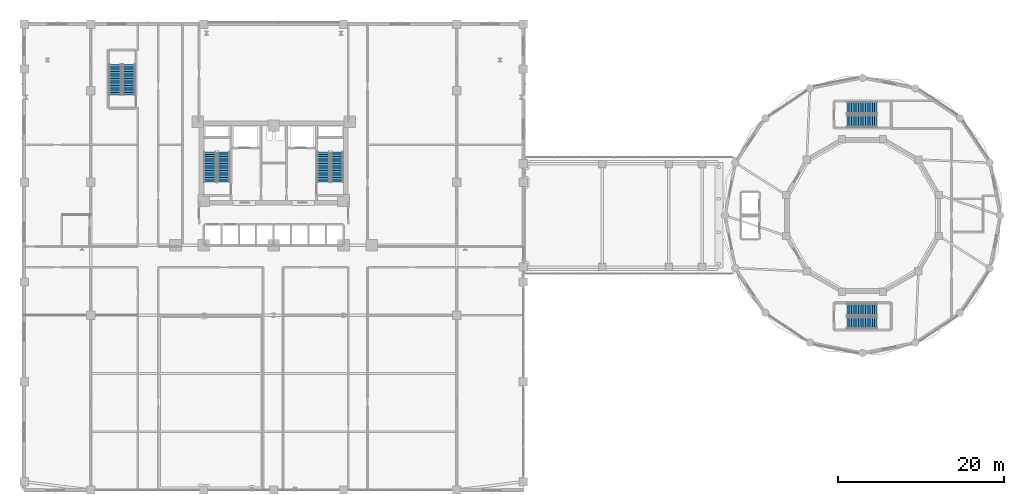
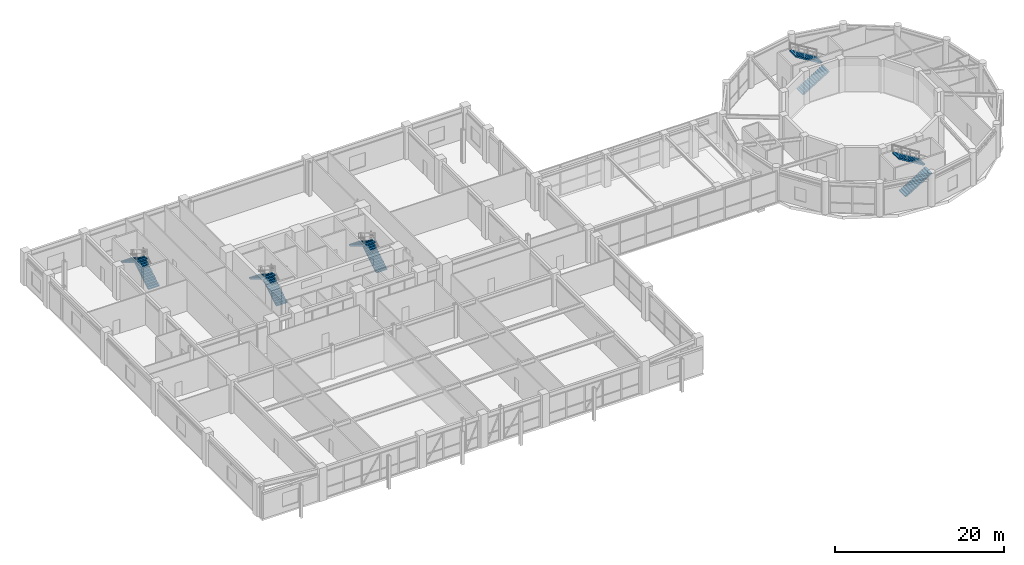
# One storey, part 37 of 48: 10 stair flights, 5 elements without a shape of their own.
"""IFC4 building model written with IfcOpenShell, lengths in metres."""

from ifc_helpers import new_model, si_unit, derived_unit, direction, frame, origin, place, context, subcontext, project, spatial, polyline, outline, extrude, material, type_object, element, aggregate, save


model = new_model("IFC4")

# Units and contexts
model_context = context("Model", 3, precision=1e-05, world=origin(), true_north=direction((0.0, 1.0)))
body_context = subcontext(model_context, "Body", "Model", "MODEL_VIEW")
ifc_project = project(units=[si_unit("LENGTHUNIT", "METRE"), si_unit("AREAUNIT", "SQUARE_METRE"), si_unit("VOLUMEUNIT", "CUBIC_METRE"), si_unit("PLANEANGLEUNIT", "RADIAN"), si_unit("MASSUNIT", "GRAM", prefix="KILO"), derived_unit("THERMALTRANSMITTANCEUNIT", [(si_unit("POWERUNIT", "WATT"), 1), (si_unit("LENGTHUNIT", "METRE"), -2), (si_unit("THERMODYNAMICTEMPERATUREUNIT", "KELVIN"), -1)])], contexts=[model_context])

# Site, building, storey
site_placement = place(None, origin())
site = spatial("IfcSite", under=ifc_project, at=site_placement, CompositionType="ELEMENT")
building_placement = place(site_placement, origin())
building = spatial("IfcBuilding", under=site, at=building_placement, Name="Korsvarv Bourse and Concert Hall", CompositionType="ELEMENT")
storey_placement = place(building_placement, frame((0.0, 0.0, 4.800048828125)))
storey = spatial("IfcBuildingStorey", under=building, at=storey_placement, Name="L01", CompositionType="ELEMENT", Elevation=4.800048828125)

# Stair, stair flights
ifc_material = material(Name="Precast concrete C45/55", Category="concrete")
stair_type_1 = type_object("IfcStairType", Name="STR-TYPE-02", PredefinedType="HALF_TURN_STAIR", material=ifc_material)
stair_1_placement = place(storey_placement, origin())
stair_1 = element("IfcStair", 1, at=stair_1_placement, inside=storey, type_object=stair_type_1, Name="L01 Tower West Exit Stair ST-T1", PredefinedType="HALF_TURN_STAIR")
stair_flight_type_1 = type_object("IfcStairFlightType", Name="FLT-TYPE-02", PredefinedType="STRAIGHT", material=ifc_material)
stair_flight_1_placement = place(storey_placement, frame((30.010009765625, 40.0, 0.0), z_axis=(0.0, 0.0, 1.0), x_axis=(0.0, 1.0, 0.0)))
stair_flight_1 = element("IfcStairFlight", 2, at=stair_flight_1_placement, type_object=stair_flight_type_1, Name="ST-T1 flight 1", NumberOfRisers=14, NumberOfTreads=13, PredefinedType="STRAIGHT", RiserHeight=0.171428571, TreadLength=0.28, context=body_context, shape_type="SweptSolid", body=[
    extrude(outline(polyline([(0.0, 0.0), (0.0, 0.17138671875), (0.280029296875, 0.17138671875), (0.280029296875, 0.3427734375), (0.56005859375, 0.3427734375), (0.56005859375, 0.514404296875), (0.840087890625, 0.514404296875), (0.840087890625, 0.685791015625), (1.1201171875, 0.685791015625), (1.1201171875, 0.857177734375), (1.39990234375, 0.857177734375), (1.39990234375, 1.028564453125), (1.679931640625, 1.028564453125), (1.679931640625, 1.199951171875), (1.9599609375, 1.199951171875), (1.9599609375, 1.371337890625), (2.239990234375, 1.371337890625), (2.239990234375, 1.54296875), (2.52001953125, 1.54296875), (2.52001953125, 1.71435546875), (2.800048828125, 1.71435546875), (2.800048828125, 1.8857421875), (3.080078125, 1.8857421875), (3.080078125, 2.05712890625), (3.360107421875, 2.05712890625), (3.360107421875, 2.228515625), (3.639892578125, 2.228515625), (3.639892578125, 2.39990234375), (3.639892578125, 2.052734375), (0.287109375, 0.0), (0.0, 0.0)])), frame((0.0, 0.75, 0.0), z_axis=(0.0, -1.0, 0.0), x_axis=(1.0, 0.0, 0.0)), (0.0, 0.0, 1.0), 1.5),
])
stair_flight_2_placement = place(storey_placement, frame((28.35009765625, 43.639892578125, 2.39990234375), z_axis=(0.0, 0.0, 1.0), x_axis=(0.0, -1.0, 0.0)))
stair_flight_2 = element("IfcStairFlight", 3, at=stair_flight_2_placement, type_object=stair_flight_type_1, Name="ST-T1 flight 2", NumberOfRisers=14, NumberOfTreads=13, PredefinedType="STRAIGHT", RiserHeight=0.171428571, TreadLength=0.28, context=body_context, shape_type="SweptSolid", body=[
    extrude(outline(polyline([(0.0, 0.0), (0.0, 0.17138671875), (0.280029296875, 0.17138671875), (0.280029296875, 0.3427734375), (0.56005859375, 0.3427734375), (0.56005859375, 0.514404296875), (0.840087890625, 0.514404296875), (0.840087890625, 0.685791015625), (1.1201171875, 0.685791015625), (1.1201171875, 0.857177734375), (1.39990234375, 0.857177734375), (1.39990234375, 1.028564453125), (1.679931640625, 1.028564453125), (1.679931640625, 1.199951171875), (1.9599609375, 1.199951171875), (1.9599609375, 1.371337890625), (2.239990234375, 1.371337890625), (2.239990234375, 1.54296875), (2.52001953125, 1.54296875), (2.52001953125, 1.71435546875), (2.800048828125, 1.71435546875), (2.800048828125, 1.8857421875), (3.080078125, 1.8857421875), (3.080078125, 2.05712890625), (3.360107421875, 2.05712890625), (3.360107421875, 2.228515625), (3.639892578125, 2.228515625), (3.639892578125, 2.39990234375), (3.639892578125, 2.052734375), (0.287109375, 0.0), (0.0, 0.0)])), frame((0.0, 0.75, 0.0), z_axis=(0.0, -1.0, 0.0), x_axis=(1.0, 0.0, 0.0)), (0.0, 0.0, 1.0), 1.5),
])
aggregate(stair_1, [stair_flight_1, stair_flight_2])

stair_2_placement = place(storey_placement, origin())
stair_2 = element("IfcStair", 4, at=stair_2_placement, inside=storey, type_object=stair_type_1, Name="L01 Tower East Exit Stair ST-T2", PredefinedType="HALF_TURN_STAIR")
stair_flight_3_placement = place(storey_placement, frame((43.64990234375, 40.0, 0.0), z_axis=(0.0, 0.0, 1.0), x_axis=(0.0, 1.0, 0.0)))
stair_flight_3 = element("IfcStairFlight", 5, at=stair_flight_3_placement, type_object=stair_flight_type_1, Name="ST-T2 flight 1", NumberOfRisers=14, NumberOfTreads=13, PredefinedType="STRAIGHT", RiserHeight=0.171428571, TreadLength=0.28, context=body_context, shape_type="SweptSolid", body=[
    extrude(outline(polyline([(0.0, 0.0), (0.0, 0.17138671875), (0.280029296875, 0.17138671875), (0.280029296875, 0.3427734375), (0.56005859375, 0.3427734375), (0.56005859375, 0.514404296875), (0.840087890625, 0.514404296875), (0.840087890625, 0.685791015625), (1.1201171875, 0.685791015625), (1.1201171875, 0.857177734375), (1.39990234375, 0.857177734375), (1.39990234375, 1.028564453125), (1.679931640625, 1.028564453125), (1.679931640625, 1.199951171875), (1.9599609375, 1.199951171875), (1.9599609375, 1.371337890625), (2.239990234375, 1.371337890625), (2.239990234375, 1.54296875), (2.52001953125, 1.54296875), (2.52001953125, 1.71435546875), (2.800048828125, 1.71435546875), (2.800048828125, 1.8857421875), (3.080078125, 1.8857421875), (3.080078125, 2.05712890625), (3.360107421875, 2.05712890625), (3.360107421875, 2.228515625), (3.639892578125, 2.228515625), (3.639892578125, 2.39990234375), (3.639892578125, 2.052734375), (0.287109375, 0.0), (0.0, 0.0)])), frame((0.0, 0.75, 0.0), z_axis=(0.0, -1.0, 0.0), x_axis=(1.0, 0.0, 0.0)), (0.0, 0.0, 1.0), 1.5),
])
stair_flight_4_placement = place(storey_placement, frame((41.989990234375, 43.639892578125, 2.39990234375), z_axis=(0.0, 0.0, 1.0), x_axis=(0.0, -1.0, 0.0)))
stair_flight_4 = element("IfcStairFlight", 6, at=stair_flight_4_placement, type_object=stair_flight_type_1, Name="ST-T2 flight 2", NumberOfRisers=14, NumberOfTreads=13, PredefinedType="STRAIGHT", RiserHeight=0.171428571, TreadLength=0.28, context=body_context, shape_type="SweptSolid", body=[
    extrude(outline(polyline([(0.0, 0.0), (0.0, 0.17138671875), (0.280029296875, 0.17138671875), (0.280029296875, 0.3427734375), (0.56005859375, 0.3427734375), (0.56005859375, 0.514404296875), (0.840087890625, 0.514404296875), (0.840087890625, 0.685791015625), (1.1201171875, 0.685791015625), (1.1201171875, 0.857177734375), (1.39990234375, 0.857177734375), (1.39990234375, 1.028564453125), (1.679931640625, 1.028564453125), (1.679931640625, 1.199951171875), (1.9599609375, 1.199951171875), (1.9599609375, 1.371337890625), (2.239990234375, 1.371337890625), (2.239990234375, 1.54296875), (2.52001953125, 1.54296875), (2.52001953125, 1.71435546875), (2.800048828125, 1.71435546875), (2.800048828125, 1.8857421875), (3.080078125, 1.8857421875), (3.080078125, 2.05712890625), (3.360107421875, 2.05712890625), (3.360107421875, 2.228515625), (3.639892578125, 2.228515625), (3.639892578125, 2.39990234375), (3.639892578125, 2.052734375), (0.287109375, 0.0), (0.0, 0.0)])), frame((0.0, 0.75, 0.0), z_axis=(0.0, -1.0, 0.0), x_axis=(1.0, 0.0, 0.0)), (0.0, 0.0, 1.0), 1.5),
])
aggregate(stair_2, [stair_flight_3, stair_flight_4])

stair_3_placement = place(storey_placement, origin())
stair_3 = element("IfcStair", 7, at=stair_3_placement, inside=storey, type_object=stair_type_1, Name="L01 Exchange Podium Grand Stair ST-PD1", PredefinedType="HALF_TURN_STAIR")
stair_flight_5_placement = place(storey_placement, frame((18.610107421875, 50.5, 0.0), z_axis=(0.0, 0.0, 1.0), x_axis=(0.0, 1.0, 0.0)))
stair_flight_5 = element("IfcStairFlight", 8, at=stair_flight_5_placement, type_object=stair_flight_type_1, Name="ST-PD1 flight 1", NumberOfRisers=14, NumberOfTreads=13, PredefinedType="STRAIGHT", RiserHeight=0.171428571, TreadLength=0.28, context=body_context, shape_type="SweptSolid", body=[
    extrude(outline(polyline([(0.0, 0.0), (0.0, 0.17138671875), (0.280029296875, 0.17138671875), (0.280029296875, 0.3427734375), (0.56005859375, 0.3427734375), (0.56005859375, 0.514404296875), (0.840087890625, 0.514404296875), (0.840087890625, 0.685791015625), (1.1201171875, 0.685791015625), (1.1201171875, 0.857177734375), (1.39990234375, 0.857177734375), (1.39990234375, 1.028564453125), (1.679931640625, 1.028564453125), (1.679931640625, 1.199951171875), (1.9599609375, 1.199951171875), (1.9599609375, 1.371337890625), (2.239990234375, 1.371337890625), (2.239990234375, 1.54296875), (2.52001953125, 1.54296875), (2.52001953125, 1.71435546875), (2.800048828125, 1.71435546875), (2.800048828125, 1.8857421875), (3.080078125, 1.8857421875), (3.080078125, 2.05712890625), (3.360107421875, 2.05712890625), (3.360107421875, 2.228515625), (3.639892578125, 2.228515625), (3.639892578125, 2.39990234375), (3.639892578125, 2.052734375), (0.287109375, 0.0), (0.0, 0.0)])), frame((0.0, 0.75, 0.0), z_axis=(0.0, -1.0, 0.0), x_axis=(1.0, 0.0, 0.0)), (0.0, 0.0, 1.0), 1.5),
])
stair_flight_6_placement = place(storey_placement, frame((16.949951171875, 54.139892578125, 2.39990234375), z_axis=(0.0, 0.0, 1.0), x_axis=(0.0, -1.0, 0.0)))
stair_flight_6 = element("IfcStairFlight", 9, at=stair_flight_6_placement, type_object=stair_flight_type_1, Name="ST-PD1 flight 2", NumberOfRisers=14, NumberOfTreads=13, PredefinedType="STRAIGHT", RiserHeight=0.171428571, TreadLength=0.28, context=body_context, shape_type="SweptSolid", body=[
    extrude(outline(polyline([(0.0, 0.0), (0.0, 0.17138671875), (0.280029296875, 0.17138671875), (0.280029296875, 0.3427734375), (0.56005859375, 0.3427734375), (0.56005859375, 0.514404296875), (0.840087890625, 0.514404296875), (0.840087890625, 0.685791015625), (1.1201171875, 0.685791015625), (1.1201171875, 0.857177734375), (1.39990234375, 0.857177734375), (1.39990234375, 1.028564453125), (1.679931640625, 1.028564453125), (1.679931640625, 1.199951171875), (1.9599609375, 1.199951171875), (1.9599609375, 1.371337890625), (2.239990234375, 1.371337890625), (2.239990234375, 1.54296875), (2.52001953125, 1.54296875), (2.52001953125, 1.71435546875), (2.800048828125, 1.71435546875), (2.800048828125, 1.8857421875), (3.080078125, 1.8857421875), (3.080078125, 2.05712890625), (3.360107421875, 2.05712890625), (3.360107421875, 2.228515625), (3.639892578125, 2.228515625), (3.639892578125, 2.39990234375), (3.639892578125, 2.052734375), (0.287109375, 0.0), (0.0, 0.0)])), frame((0.0, 0.75, 0.0), z_axis=(0.0, -1.0, 0.0), x_axis=(1.0, 0.0, 0.0)), (0.0, 0.0, 1.0), 1.5),
])
aggregate(stair_3, [stair_flight_5, stair_flight_6])

stair_type_2 = type_object("IfcStairType", Name="STR-TYPE-07", PredefinedType="HALF_TURN_STAIR", material=ifc_material)
stair_4_placement = place(storey_placement, origin())
stair_4 = element("IfcStair", 10, at=stair_4_placement, inside=storey, type_object=stair_type_2, Name="L01 Concert Hall North Exit Stair ST-CH1", PredefinedType="HALF_TURN_STAIR")
stair_flight_type_2 = type_object("IfcStairFlightType", Name="FLT-TYPE-07", PredefinedType="STRAIGHT", material=ifc_material)
stair_flight_7_placement = place(storey_placement, frame((104.89990234375, 47.324951171875, 0.0), z_axis=(0.0, 0.0, 1.0), x_axis=(1.0, 0.0, 0.0)))
stair_flight_7 = element("IfcStairFlight", 11, at=stair_flight_7_placement, type_object=stair_flight_type_2, Name="ST-CH1 flight 1", NumberOfRisers=14, NumberOfTreads=13, PredefinedType="STRAIGHT", RiserHeight=0.171428571, TreadLength=0.28, context=body_context, shape_type="SweptSolid", body=[
    extrude(outline(polyline([(0.0, 0.0), (0.0, 0.17138671875), (0.280029296875, 0.17138671875), (0.280029296875, 0.3427734375), (0.56005859375, 0.3427734375), (0.56005859375, 0.514404296875), (0.840087890625, 0.514404296875), (0.840087890625, 0.685791015625), (1.1201171875, 0.685791015625), (1.1201171875, 0.857177734375), (1.39990234375, 0.857177734375), (1.39990234375, 1.028564453125), (1.679931640625, 1.028564453125), (1.679931640625, 1.199951171875), (1.9599609375, 1.199951171875), (1.9599609375, 1.371337890625), (2.239990234375, 1.371337890625), (2.239990234375, 1.54296875), (2.52001953125, 1.54296875), (2.52001953125, 1.71435546875), (2.800048828125, 1.71435546875), (2.800048828125, 1.8857421875), (3.080078125, 1.8857421875), (3.080078125, 2.05712890625), (3.360107421875, 2.05712890625), (3.360107421875, 2.228515625), (3.639892578125, 2.228515625), (3.639892578125, 2.39990234375), (3.639892578125, 2.052734375), (0.287109375, 0.0), (0.0, 0.0)])), frame((0.0, 0.72509765625, 0.0), z_axis=(0.0, -1.0, 0.0), x_axis=(1.0, 0.0, 0.0)), (0.0, 0.0, 1.0), 1.449951171875),
])
stair_flight_8_placement = place(storey_placement, frame((108.5400390625, 48.93505859375, 2.39990234375), z_axis=(0.0, 0.0, 1.0), x_axis=(-1.0, 0.0, 0.0)))
stair_flight_8 = element("IfcStairFlight", 12, at=stair_flight_8_placement, type_object=stair_flight_type_2, Name="ST-CH1 flight 2", NumberOfRisers=14, NumberOfTreads=13, PredefinedType="STRAIGHT", RiserHeight=0.171428571, TreadLength=0.28, context=body_context, shape_type="SweptSolid", body=[
    extrude(outline(polyline([(0.0, 0.0), (0.0, 0.17138671875), (0.280029296875, 0.17138671875), (0.280029296875, 0.3427734375), (0.56005859375, 0.3427734375), (0.56005859375, 0.514404296875), (0.840087890625, 0.514404296875), (0.840087890625, 0.685791015625), (1.1201171875, 0.685791015625), (1.1201171875, 0.857177734375), (1.39990234375, 0.857177734375), (1.39990234375, 1.028564453125), (1.679931640625, 1.028564453125), (1.679931640625, 1.199951171875), (1.9599609375, 1.199951171875), (1.9599609375, 1.371337890625), (2.239990234375, 1.371337890625), (2.239990234375, 1.54296875), (2.52001953125, 1.54296875), (2.52001953125, 1.71435546875), (2.800048828125, 1.71435546875), (2.800048828125, 1.8857421875), (3.080078125, 1.8857421875), (3.080078125, 2.05712890625), (3.360107421875, 2.05712890625), (3.360107421875, 2.228515625), (3.639892578125, 2.228515625), (3.639892578125, 2.39990234375), (3.639892578125, 2.052734375), (0.287109375, 0.0), (0.0, 0.0)])), frame((0.0, 0.72509765625, 0.0), z_axis=(0.0, -1.0, 0.0), x_axis=(1.0, 0.0, 0.0)), (0.0, 0.0, 1.0), 1.449951171875),
])
aggregate(stair_4, [stair_flight_7, stair_flight_8])

stair_5_placement = place(storey_placement, origin())
stair_5 = element("IfcStair", 13, at=stair_5_placement, inside=storey, type_object=stair_type_2, Name="L01 Concert Hall South Exit Stair ST-CH2", PredefinedType="HALF_TURN_STAIR")
stair_flight_9_placement = place(storey_placement, frame((104.89990234375, 23.06494140625, 0.0), z_axis=(0.0, 0.0, 1.0), x_axis=(1.0, 0.0, 0.0)))
stair_flight_9 = element("IfcStairFlight", 14, at=stair_flight_9_placement, type_object=stair_flight_type_2, Name="ST-CH2 flight 1", NumberOfRisers=14, NumberOfTreads=13, PredefinedType="STRAIGHT", RiserHeight=0.171428571, TreadLength=0.28, context=body_context, shape_type="SweptSolid", body=[
    extrude(outline(polyline([(0.0, 0.0), (0.0, 0.17138671875), (0.280029296875, 0.17138671875), (0.280029296875, 0.3427734375), (0.56005859375, 0.3427734375), (0.56005859375, 0.514404296875), (0.840087890625, 0.514404296875), (0.840087890625, 0.685791015625), (1.1201171875, 0.685791015625), (1.1201171875, 0.857177734375), (1.39990234375, 0.857177734375), (1.39990234375, 1.028564453125), (1.679931640625, 1.028564453125), (1.679931640625, 1.199951171875), (1.9599609375, 1.199951171875), (1.9599609375, 1.371337890625), (2.239990234375, 1.371337890625), (2.239990234375, 1.54296875), (2.52001953125, 1.54296875), (2.52001953125, 1.71435546875), (2.800048828125, 1.71435546875), (2.800048828125, 1.8857421875), (3.080078125, 1.8857421875), (3.080078125, 2.05712890625), (3.360107421875, 2.05712890625), (3.360107421875, 2.228515625), (3.639892578125, 2.228515625), (3.639892578125, 2.39990234375), (3.639892578125, 2.052734375), (0.287109375, 0.0), (0.0, 0.0)])), frame((0.0, 0.72509765625, 0.0), z_axis=(0.0, -1.0, 0.0), x_axis=(1.0, 0.0, 0.0)), (0.0, 0.0, 1.0), 1.449951171875),
])
stair_flight_10_placement = place(storey_placement, frame((108.5400390625, 24.675048828125, 2.39990234375), z_axis=(0.0, 0.0, 1.0), x_axis=(-1.0, 0.0, 0.0)))
stair_flight_10 = element("IfcStairFlight", 15, at=stair_flight_10_placement, type_object=stair_flight_type_2, Name="ST-CH2 flight 2", NumberOfRisers=14, NumberOfTreads=13, PredefinedType="STRAIGHT", RiserHeight=0.171428571, TreadLength=0.28, context=body_context, shape_type="SweptSolid", body=[
    extrude(outline(polyline([(0.0, 0.0), (0.0, 0.17138671875), (0.280029296875, 0.17138671875), (0.280029296875, 0.3427734375), (0.56005859375, 0.3427734375), (0.56005859375, 0.514404296875), (0.840087890625, 0.514404296875), (0.840087890625, 0.685791015625), (1.1201171875, 0.685791015625), (1.1201171875, 0.857177734375), (1.39990234375, 0.857177734375), (1.39990234375, 1.028564453125), (1.679931640625, 1.028564453125), (1.679931640625, 1.199951171875), (1.9599609375, 1.199951171875), (1.9599609375, 1.371337890625), (2.239990234375, 1.371337890625), (2.239990234375, 1.54296875), (2.52001953125, 1.54296875), (2.52001953125, 1.71435546875), (2.800048828125, 1.71435546875), (2.800048828125, 1.8857421875), (3.080078125, 1.8857421875), (3.080078125, 2.05712890625), (3.360107421875, 2.05712890625), (3.360107421875, 2.228515625), (3.639892578125, 2.228515625), (3.639892578125, 2.39990234375), (3.639892578125, 2.052734375), (0.287109375, 0.0), (0.0, 0.0)])), frame((0.0, 0.72509765625, 0.0), z_axis=(0.0, -1.0, 0.0), x_axis=(1.0, 0.0, 0.0)), (0.0, 0.0, 1.0), 1.449951171875),
])
aggregate(stair_5, [stair_flight_9, stair_flight_10])

save(model, "model.ifc")
